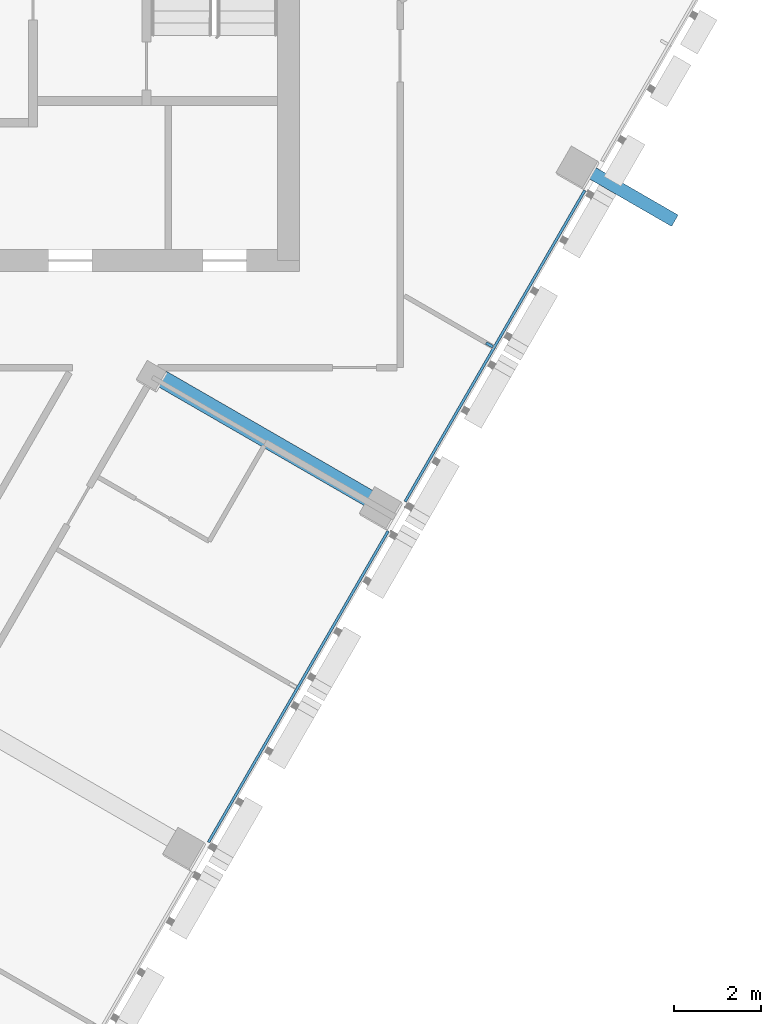
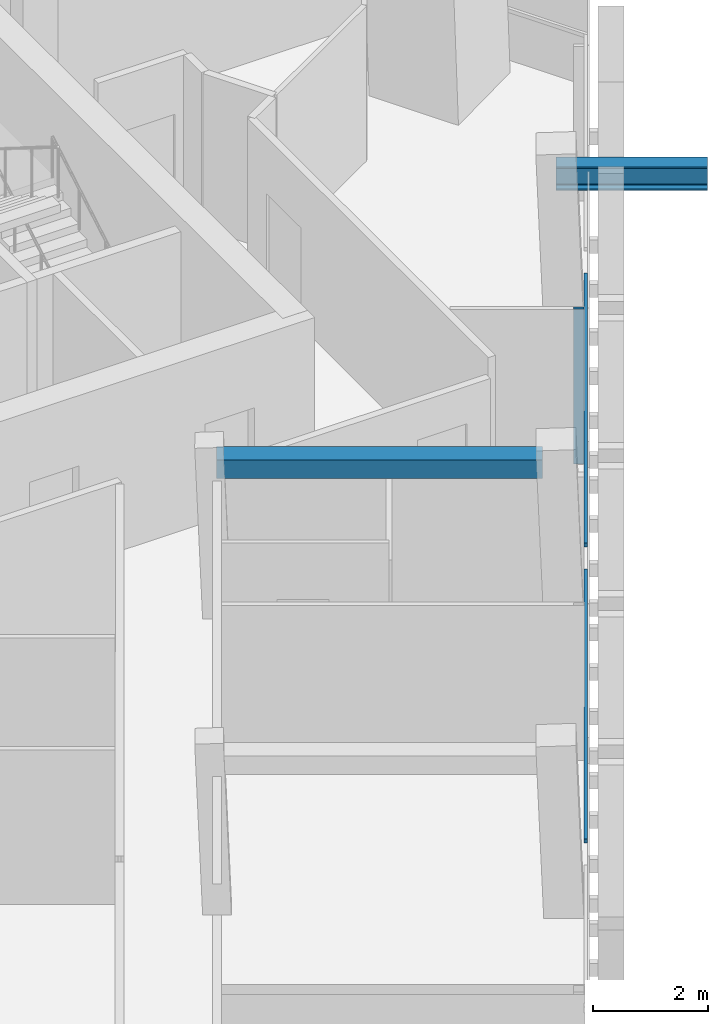
# One storey, part 4 of 12: 4 members, 1 beam, 1 element without a shape of its own.
"""IFC4 building model written with IfcOpenShell, lengths in metres."""

from ifc_helpers import new_model, si_unit, direction, frame, origin, origin_2d, place, context, subcontext, project, spatial, rectangle, i_section, extrude, material, layer, layer_set, material_profile, profile_set, type_object, element, aggregate, save


model = new_model("IFC4")

# Units and contexts
model_context = context("Model", 3, precision=1e-05, world=origin(), true_north=direction((0.0, 1.0)))
body_context = subcontext(model_context, "Body", "Model", "MODEL_VIEW")
ifc_project = project(units=[si_unit("LENGTHUNIT", "METRE"), si_unit("AREAUNIT", "SQUARE_METRE"), si_unit("VOLUMEUNIT", "CUBIC_METRE"), si_unit("PLANEANGLEUNIT", "RADIAN"), si_unit("MASSUNIT", "GRAM", prefix="KILO")], contexts=[model_context])

# Site, building, storey
site_placement = place(None, origin())
site = spatial("IfcSite", under=ifc_project, at=site_placement, CompositionType="ELEMENT")
building_placement = place(site_placement, origin())
building = spatial("IfcBuilding", under=site, at=building_placement, Name="Altiplano Prism Tower", CompositionType="ELEMENT")
storey_placement = place(building_placement, frame((0.0, 0.0, 282.39990234375)))
storey = spatial("IfcBuildingStorey", under=building, at=storey_placement, Name="L73", CompositionType="ELEMENT", Elevation=282.39990234375)

# Member
ifc_material_1 = material(Name="Steel S355", Category="steel")
ifc_material_profile_1 = material_profile(ifc_material_1, i_section(OverallWidth=0.300048828125, OverallDepth=0.5, WebThickness=0.014404296875, FlangeThickness=0.028076171875, FilletRadius=0.027099609375, at=origin_2d()), Name="Brace bracket HEB 500")
ifc_profile_set_1 = profile_set([ifc_material_profile_1], Name="Steel S355")
member_type_1 = type_object("IfcMemberType", Name="Brace bracket HEB 500", PredefinedType="STRUT", material=ifc_profile_set_1)
member_1_placement = place(storey_placement, frame((103.7919921875, 95.384033203125, 2.9501953125), z_axis=(0.866029095148, -0.499993606316, 0.0), x_axis=(0.499993606316, 0.866029095148, 0.0)))
element("IfcMember", 1, at=member_1_placement, inside=storey, type_object=member_type_1, Name="Brace bracket 2.286", PredefinedType="STRUT", context=body_context, shape_type="SweptSolid", body=[
    extrude(i_section(OverallWidth=0.300048828125, OverallDepth=0.5, WebThickness=0.014404296875, FlangeThickness=0.028076171875, FilletRadius=0.027099609375, at=origin_2d()), origin(), (0.0, 0.0, 1.0), 2.64990234375),
])

# Curtain wall, members
ifc_material_2 = material(Name="Aluminium and glass", Category="aluminium")
ifc_layer = layer(ifc_material_2, 0.280029296875)
ifc_layer_set = layer_set([ifc_layer], Name="Aluminium and glass")
curtain_wall_type = type_object("IfcCurtainWallType", Name="CW1 typical co-living unitised curtain wall", PredefinedType="NOTDEFINED", material=ifc_layer_set)
curtain_wall_placement = place(storey_placement, origin())
curtain_wall = element("IfcCurtainWall", 2, at=curtain_wall_placement, inside=storey, type_object=curtain_wall_type, Name="CW1 curtain wall south-east face L73", PredefinedType="NOTDEFINED")
ifc_material_3 = material(Name="Aluminium", Category="aluminium")
ifc_material_profile_2 = material_profile(ifc_material_3, rectangle(XDim=0.179931640625, YDim=0.06494140625, at=origin_2d()), Name="CW1 mullion 65 x 180")
ifc_profile_set_2 = profile_set([ifc_material_profile_2], Name="Aluminium")
member_type_2 = type_object("IfcMemberType", Name="CW1 mullion 65 x 180", PredefinedType="MULLION", material=ifc_profile_set_2)
member_2_placement = place(storey_placement, frame((101.84716796875, 91.21826171875, 0.0), z_axis=(0.0, 0.0, 1.0), x_axis=(-0.866025407982, 0.49999999273, 0.0)))
member_2 = element("IfcMember", 3, at=member_2_placement, type_object=member_type_2, Name="CW1 mullion", PredefinedType="MULLION", context=body_context, shape_type="SweptSolid", body=[
    extrude(rectangle(XDim=0.179931640625, YDim=0.06494140625, at=origin_2d()), origin(), (0.0, 0.0, 1.0), 3.300048828125),
])
ifc_material_profile_3 = material_profile(ifc_material_3, rectangle(XDim=0.06005859375, YDim=0.080078125, at=origin_2d()), Name="CW1 transom 80 x 60")
ifc_profile_set_3 = profile_set([ifc_material_profile_3], Name="Aluminium")
member_type_3 = type_object("IfcMemberType", Name="CW1 transom 80 x 60", PredefinedType="USERDEFINED", material=ifc_profile_set_3)
member_3_placement = place(storey_placement, frame((95.416015625, 79.83935546875, 1.10009765625), z_axis=(0.500017276951, 0.866015428702, 0.0), x_axis=(-0.866015428702, 0.500017276951, 0.0)))
member_3 = element("IfcMember", 4, at=member_3_placement, type_object=member_type_3, Name="CW1 transom", ObjectType="TRANSOM", PredefinedType="USERDEFINED", context=body_context, shape_type="SweptSolid", body=[
    extrude(rectangle(XDim=0.06005859375, YDim=0.080078125, at=origin_2d()), origin(), (0.0, 0.0, 1.0), 8.219482421875),
])
member_4_placement = place(storey_placement, frame((99.916015625, 87.633544921875, 1.10009765625), z_axis=(0.500004415232, 0.866022854634, 0.0), x_axis=(-0.866022854634, 0.500004415232, 0.0)))
member_4 = element("IfcMember", 5, at=member_4_placement, type_object=member_type_3, Name="CW1 transom", ObjectType="TRANSOM", PredefinedType="USERDEFINED", context=body_context, shape_type="SweptSolid", body=[
    extrude(rectangle(XDim=0.06005859375, YDim=0.080078125, at=origin_2d()), origin(), (0.0, 0.0, 1.0), 8.2197265625),
])
aggregate(curtain_wall, [member_3, member_2, member_4])

# Beam
ifc_material_4 = material(Name="Concrete C60/75", Category="concrete")
ifc_material_profile_4 = material_profile(ifc_material_4, rectangle(XDim=0.39990234375, YDim=0.39990234375, at=origin_2d()), Name="Tie beam 400x400")
ifc_profile_set_4 = profile_set([ifc_material_profile_4], Name="Concrete C60/75")
beam_type = type_object("IfcBeamType", Name="Tie beam 400x400", PredefinedType="BEAM", material=ifc_profile_set_4)
beam_placement = place(storey_placement, frame((94.1650390625, 90.5498046875, 3.10009765625), z_axis=(0.866029822496, -0.499992346489, 0.0), x_axis=(0.499992346489, 0.866029822496, 0.0)))
element("IfcBeam", 6, at=beam_placement, inside=storey, type_object=beam_type, Name="Tie beam I23 L74", PredefinedType="BEAM", context=body_context, shape_type="SweptSolid", body=[
    extrude(rectangle(XDim=0.39990234375, YDim=0.39990234375, at=origin_2d()), origin(), (0.0, 0.0, 1.0), 5.68994140625),
])

save(model, "model.ifc")
